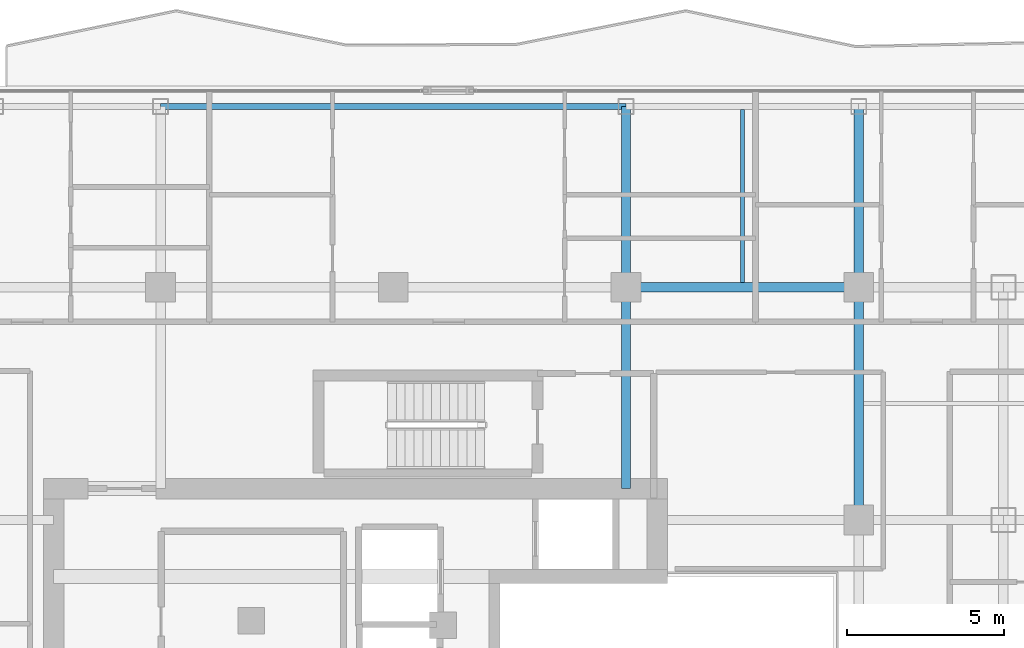
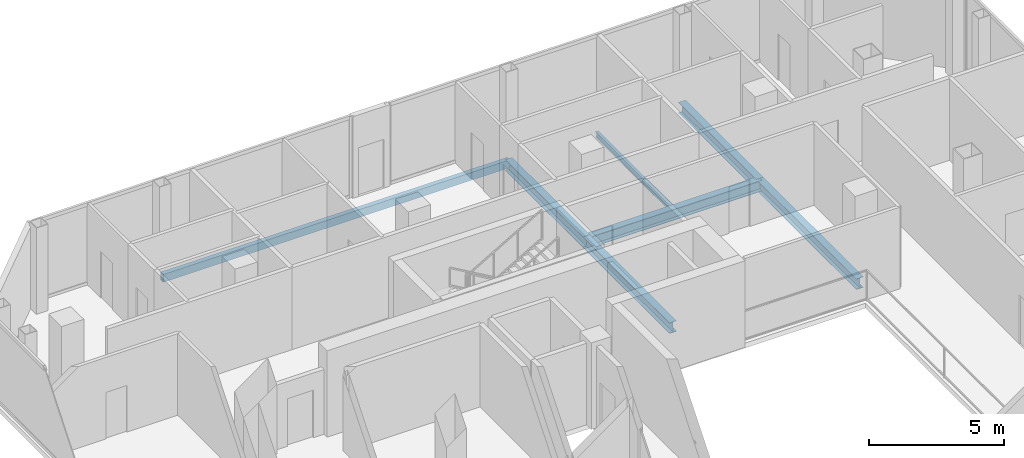
# One storey, part 12 of 23: 7 beams.
"""IFC4 building model written with IfcOpenShell, lengths in metres."""

from ifc_helpers import new_model, si_unit, direction, frame, origin, origin_2d, place, context, subcontext, project, spatial, hollow_rectangle, i_section, extrude, material, material_profile, profile_set, type_object, element, save


model = new_model("IFC4")

# Units and contexts
model_context = context("Model", 3, precision=1e-05, world=origin(), true_north=direction((0.0, 1.0)))
body_context = subcontext(model_context, "Body", "Model", "MODEL_VIEW")
ifc_project = project(units=[si_unit("LENGTHUNIT", "METRE"), si_unit("AREAUNIT", "SQUARE_METRE"), si_unit("VOLUMEUNIT", "CUBIC_METRE"), si_unit("PLANEANGLEUNIT", "RADIAN"), si_unit("MASSUNIT", "GRAM", prefix="KILO")], contexts=[model_context])

# Site, building, storey
site_placement = place(None, origin())
site = spatial("IfcSite", under=ifc_project, at=site_placement, CompositionType="ELEMENT")
building_placement = place(site_placement, origin())
building = spatial("IfcBuilding", under=site, at=building_placement, Name="Khorvyn Point Tower", CompositionType="ELEMENT")
storey_placement = place(building_placement, frame((0.0, 0.0, 274.199951171875)))
storey = spatial("IfcBuildingStorey", under=building, at=storey_placement, Name="L67", CompositionType="ELEMENT", Elevation=274.199951171875)

# Beams
ifc_material = material(Name="Steel S355", Category="steel")
ifc_material_profile_1 = material_profile(ifc_material, i_section(OverallWidth=0.125, OverallDepth=0.25, WebThickness=0.006103515625, FlangeThickness=0.009033203125, at=origin_2d()))
ifc_profile_set_1 = profile_set([ifc_material_profile_1], Name="Steel S355 H250x125x6x9")
beam_type_1 = type_object("IfcBeamType", Name="Steel S355 Joist H250x125x6x9", PredefinedType="JOIST", material=ifc_profile_set_1)
beam_1_placement = place(storey_placement, frame((11.10009765625, 14.949951171875, -0.344970703125), z_axis=(0.0, 1.0, 0.0), x_axis=(-1.0, 0.0, 0.0)))
element("IfcBeam", 1, at=beam_1_placement, inside=storey, type_object=beam_type_1, Name="Beam", PredefinedType="JOIST", context=body_context, shape_type="SweptSolid", body=[
    extrude(i_section(OverallWidth=0.125, OverallDepth=0.25, WebThickness=0.006103515625, FlangeThickness=0.009033203125, at=origin_2d()), origin(), (0.0, 0.0, 1.0), 5.5),
])
ifc_material_profile_2 = material_profile(ifc_material, i_section(OverallWidth=0.300048828125, OverallDepth=0.488037109375, WebThickness=0.010986328125, FlangeThickness=0.01806640625, at=origin_2d()))
ifc_profile_set_2 = profile_set([ifc_material_profile_2], Name="Steel S355 H488x300x11x18")
beam_type_2 = type_object("IfcBeamType", Name="Steel S355 Spandrel H488x300x11x18", PredefinedType="SPANDREL", material=ifc_profile_set_2)
for number, where, z_axis, x_axis, name in (
    (2, (7.39990234375, 14.800048828125, -0.4638671875), (1.0, 0.0, 0.0), (0.0, 1.0, 0.0), "Beam"),
    (3, (14.800048828125, 7.39990234375, -0.4638671875), (0.0, 1.0, 0.0), (-1.0, 0.0, 0.0), "Beam"),
):
    element("IfcBeam", number, at=place(storey_placement, frame(where, z_axis=z_axis, x_axis=x_axis)), inside=storey, type_object=beam_type_2, Name=name, PredefinedType="SPANDREL", context=body_context, shape_type="SweptSolid", body=[
        extrude(i_section(OverallWidth=0.300048828125, OverallDepth=0.488037109375, WebThickness=0.010986328125, FlangeThickness=0.01806640625, at=origin_2d()), origin(), (0.0, 0.0, 1.0), 7.400146484375),
    ])
beam_2_placement = place(storey_placement, frame((14.800048828125, 14.800048828125, -0.4638671875), z_axis=(0.0, 1.0, 0.0), x_axis=(-1.0, 0.0, 0.0)))
element("IfcBeam", 4, at=beam_2_placement, inside=storey, type_object=beam_type_2, Name="Beam", PredefinedType="SPANDREL", context=body_context, shape_type="SweptSolid", body=[
    extrude(i_section(OverallWidth=0.300048828125, OverallDepth=0.488037109375, WebThickness=0.010986328125, FlangeThickness=0.01806640625, at=origin_2d()), origin(), (0.0, 0.0, 1.0), 5.75),
])
beam_3_placement = place(storey_placement, frame((7.39990234375, 8.39990234375, -0.4638671875), z_axis=(0.0, 1.0, 0.0), x_axis=(-1.0, 0.0, 0.0)))
element("IfcBeam", 5, at=beam_3_placement, inside=storey, type_object=beam_type_2, Name="Beam", PredefinedType="SPANDREL", context=body_context, shape_type="SweptSolid", body=[
    extrude(i_section(OverallWidth=0.300048828125, OverallDepth=0.488037109375, WebThickness=0.010986328125, FlangeThickness=0.01806640625, at=origin_2d()), origin(), (0.0, 0.0, 1.0), 6.400146484375),
])
beam_4_placement = place(storey_placement, frame((7.39990234375, 14.800048828125, -0.4638671875), z_axis=(0.0, 1.0, 0.0), x_axis=(-1.0, 0.0, 0.0)))
element("IfcBeam", 6, at=beam_4_placement, inside=storey, type_object=beam_type_2, Name="Beam", PredefinedType="SPANDREL", context=body_context, shape_type="SweptSolid", body=[
    extrude(i_section(OverallWidth=0.300048828125, OverallDepth=0.488037109375, WebThickness=0.010986328125, FlangeThickness=0.01806640625, at=origin_2d()), origin(), (0.0, 0.0, 1.0), 5.75),
])
ifc_material_profile_3 = material_profile(ifc_material, hollow_rectangle(XDim=0.199951171875, YDim=0.35009765625, WallThickness=0.013916015625, at=origin_2d()))
ifc_profile_set_3 = profile_set([ifc_material_profile_3], Name="Steel S355 RHS350x200x14")
beam_type_3 = type_object("IfcBeamType", Name="Steel S355 Spandrel RHS350x200x14", PredefinedType="SPANDREL", material=ifc_profile_set_3)
beam_5_placement = place(storey_placement, frame((-7.39990234375, 20.550048828125, -0.39501953125), z_axis=(1.0, 0.0, 0.0), x_axis=(0.0, 1.0, 0.0)))
element("IfcBeam", 7, at=beam_5_placement, inside=storey, type_object=beam_type_3, Name="Beam", PredefinedType="SPANDREL", context=body_context, shape_type="SweptSolid", body=[
    extrude(hollow_rectangle(XDim=0.199951171875, YDim=0.35009765625, WallThickness=0.013916015625, at=origin_2d()), origin(), (0.0, 0.0, 1.0), 14.7998046875),
])

save(model, "model.ifc")
